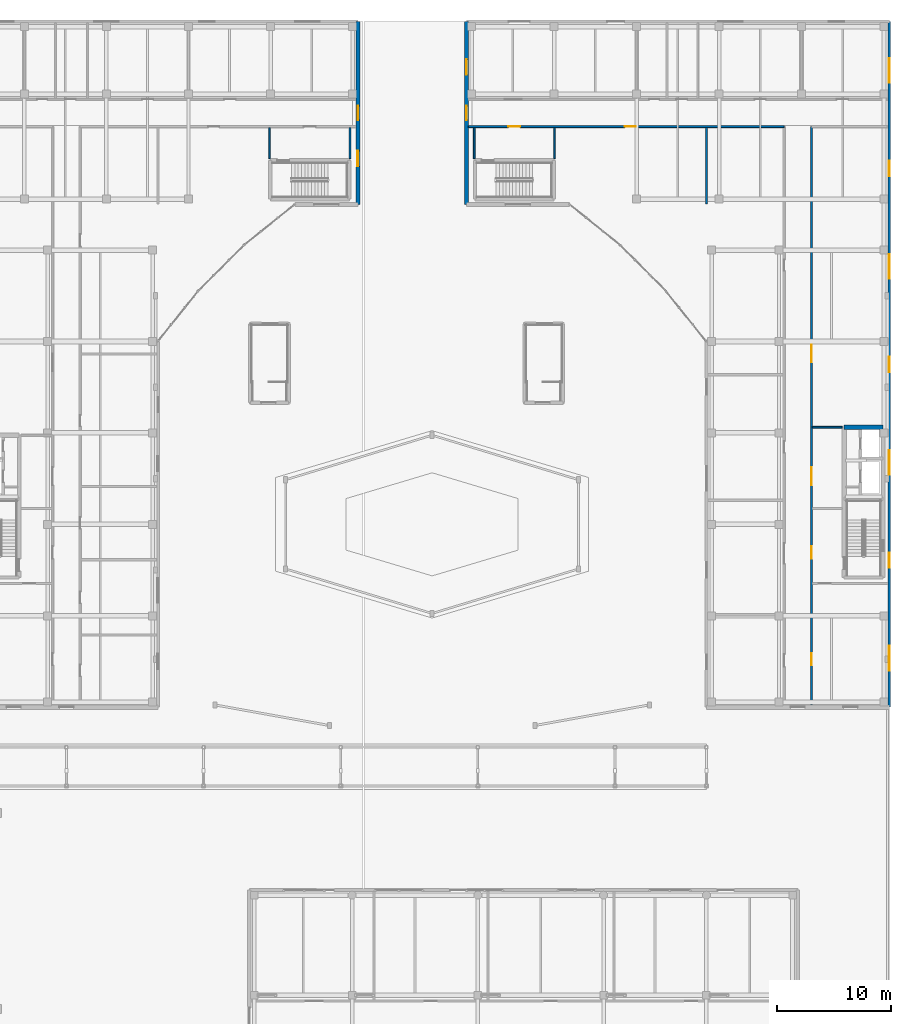
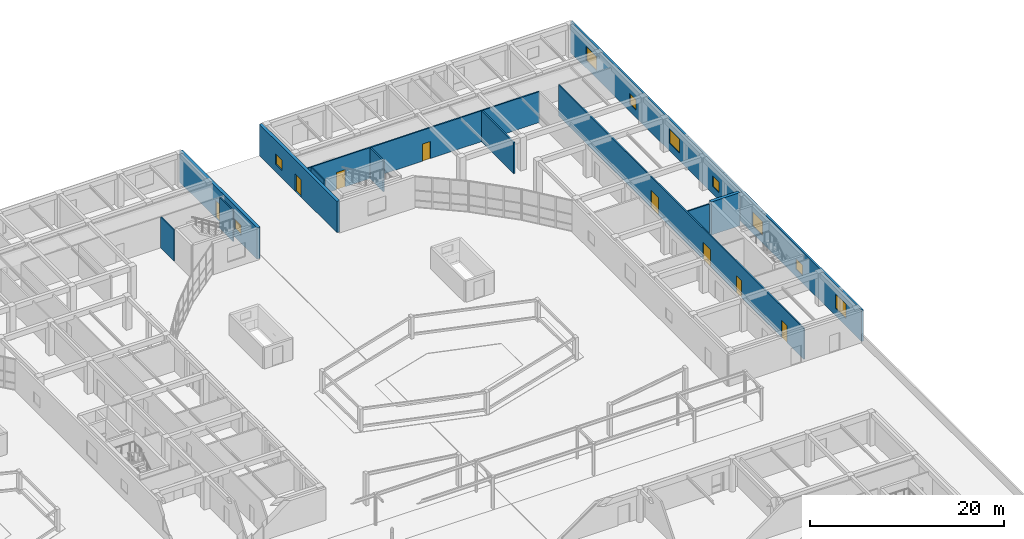
# One storey, part 90 of 114: 12 walls, 9 windows, 8 doors, 17 openings.
"""IFC4 building model written with IfcOpenShell, lengths in metres."""

from ifc_helpers import new_model, si_unit, direction, frame, frame_2d, origin, place, context, subcontext, project, spatial, rectangle, extrude, material, layer, layer_set, type_object, element, fill, save


model = new_model("IFC4")

# Units and contexts
model_context = context("Model", 3, precision=1e-05, world=origin(), true_north=direction((0.0, 1.0)))
body_context = subcontext(model_context, "Body", "Model", "MODEL_VIEW")
ifc_project = project(units=[si_unit("LENGTHUNIT", "METRE"), si_unit("AREAUNIT", "SQUARE_METRE"), si_unit("VOLUMEUNIT", "CUBIC_METRE"), si_unit("PLANEANGLEUNIT", "RADIAN"), si_unit("MASSUNIT", "GRAM", prefix="KILO")], contexts=[model_context])

# Site, building, storey
site_placement = place(None, origin())
site = spatial("IfcSite", under=ifc_project, at=site_placement, CompositionType="ELEMENT")
building_placement = place(site_placement, origin())
building = spatial("IfcBuilding", under=site, at=building_placement, Name="Keldmere Railside Commons", CompositionType="ELEMENT")
storey_placement = place(building_placement, origin())
storey = spatial("IfcBuildingStorey", under=building, at=storey_placement, Name="L00", CompositionType="ELEMENT", Elevation=0.0)

# Walls
ifc_material_1 = material(Name="Acoustic Gypsum Board Partition", Category="gypsum")
ifc_layer_1 = layer(ifc_material_1, 0.179931640625, Name="Acoustic Demising Partition 180")
ifc_layer_set_1 = layer_set([ifc_layer_1], Name="Acoustic Gypsum Board Partition")
wall_type_1 = type_object("IfcWallType", Name="Acoustic Demising Partition 180", PredefinedType="PARTITIONING", material=ifc_layer_set_1)
wall_1_placement = place(storey_placement, frame((168.0, 100.050048828125, 0.0), z_axis=(0.0, 0.0, 1.0), x_axis=(0.0, 1.0, 0.0)))
element("IfcWall", 1, at=wall_1_placement, inside=storey, type_object=wall_type_1, Name="IW-1 IW-L00-1409", PredefinedType="PARTITIONING", context=body_context, shape_type="SweptSolid", body=[
    extrude(rectangle(XDim=6.669921875, YDim=0.179931640625, at=frame_2d((3.3349609375, 0.0))), origin(), (0.0, 0.0, 1.0), 3.89501953125),
])
ifc_material_2 = material(Name="Concrete H-40 (C40/50)", Category="concrete")
ifc_layer_2 = layer(ifc_material_2, 0.3798828125, Name="Core Shear Wall 380")
ifc_layer_set_2 = layer_set([ifc_layer_2], Name="Concrete H-40 (C40/50)")
wall_type_2 = type_object("IfcWallType", Name="Core Shear Wall 380", PredefinedType="SHEAR", material=ifc_layer_set_2)
wall_2_placement = place(storey_placement, frame((180.06005859375, 80.5, 0.0), z_axis=(0.0, 0.0, 1.0), x_axis=(1.0, 0.0, 0.0)))
element("IfcWall", 2, at=wall_2_placement, inside=storey, type_object=wall_type_2, Name="CW-CORE COREAN-L00-0709", PredefinedType="SHEAR", context=body_context, shape_type="SweptSolid", body=[
    extrude(rectangle(XDim=3.409912109375, YDim=0.3798828125, at=frame_2d((1.705078125, 0.0))), origin(), (0.0, 0.0, 1.0), 4.159912109375),
])

# Wall, openings, doors
ifc_layer_3 = layer(ifc_material_1, 0.159912109375, Name="Corridor Fire Partition 160")
ifc_layer_set_3 = layer_set([ifc_layer_3], Name="Acoustic Gypsum Board Partition")
wall_type_3 = type_object("IfcWallType", Name="Corridor Fire Partition 160", PredefinedType="PARTITIONING", material=ifc_layer_set_3)
wall_3_placement = place(storey_placement, frame((177.199951171875, 56.179931640625, 0.0), z_axis=(0.0, 0.0, 1.0), x_axis=(0.0, 1.0, 0.0)))
wall_3 = element("IfcWall", 3, at=wall_3_placement, inside=storey, type_object=wall_type_3, Name="IW-2 IW-L00-1405", PredefinedType="PARTITIONING", context=body_context, shape_type="SweptSolid", body=[
    extrude(rectangle(XDim=50.6201171875, YDim=0.159912109375, at=frame_2d((25.31005859375, 0.0))), origin(), (0.0, 0.0, 1.0), 3.89501953125),
])
opening_1_placement = place(wall_3_placement, frame((12.820068359375, 0.0, 0.0)))
opening_1 = element("IfcOpeningElement", 4, at=opening_1_placement, cuts=wall_3, Name="Opening FD-2", PredefinedType="OPENING", context=body_context, shape_type="SweptSolid", body=[
    extrude(rectangle(XDim=1.10009765625, YDim=2.14990234375, at=frame_2d((0.550048828125, 1.074951171875))), frame((0.0, 0.08984375, 0.0), z_axis=(0.0, -1.0, 0.0), x_axis=(1.0, 0.0, 0.0)), (0.0, 0.0, 1.0), 0.179931640625),
])
opening_2_placement = place(wall_3_placement, frame((19.219970703125, 0.0, 0.0)))
opening_2 = element("IfcOpeningElement", 5, at=opening_2_placement, cuts=wall_3, Name="Opening FD-4", PredefinedType="OPENING", context=body_context, shape_type="SweptSolid", body=[
    extrude(rectangle(XDim=1.60009765625, YDim=2.14990234375, at=frame_2d((0.800048828125, 1.074951171875))), frame((0.0, 0.08984375, 0.0), z_axis=(0.0, -1.0, 0.0), x_axis=(1.0, 0.0, 0.0)), (0.0, 0.0, 1.0), 0.179931640625),
])
opening_3_placement = place(wall_3_placement, frame((3.5, 0.0, 0.0)))
opening_3 = element("IfcOpeningElement", 6, at=opening_3_placement, cuts=wall_3, Name="Opening FD-1", PredefinedType="OPENING", context=body_context, shape_type="SweptSolid", body=[
    extrude(rectangle(XDim=1.050048828125, YDim=2.14990234375, at=frame_2d((0.52490234375, 1.074951171875))), frame((0.0, 0.08984375, 0.0), z_axis=(0.0, -1.0, 0.0), x_axis=(1.0, 0.0, 0.0)), (0.0, 0.0, 1.0), 0.179931640625),
])
opening_4_placement = place(wall_3_placement, frame((30.0, 0.0, 0.0)))
opening_4 = element("IfcOpeningElement", 7, at=opening_4_placement, cuts=wall_3, Name="Opening ID-16", PredefinedType="OPENING", context=body_context, shape_type="SweptSolid", body=[
    extrude(rectangle(XDim=1.550048828125, YDim=2.199951171875, at=frame_2d((0.77490234375, 1.10009765625))), frame((0.0, 0.08984375, 0.0), z_axis=(0.0, -1.0, 0.0), x_axis=(1.0, 0.0, 0.0)), (0.0, 0.0, 1.0), 0.179931640625),
])
ifc_material_3 = material(Name="Steel F-24 (S235)", Category="steel")
door_type_1 = type_object("IfcDoorType", Name="Bicycle Hub Double Swing Door 1550x2200", OperationType="DOUBLE_DOOR_SINGLE_SWING", PredefinedType="DOOR", material=ifc_material_3)
door_1_placement = place(opening_4_placement, origin())
door_1 = element("IfcDoor", 8, at=door_1_placement, inside=storey, type_object=door_type_1, Name="ID-16 IDR-L00-1266", OperationType="DOUBLE_DOOR_SINGLE_SWING", OverallHeight=2.199951171875, OverallWidth=1.550048828125, PredefinedType="DOOR", context=body_context, shape_type="SweptSolid", body=[
    extrude(rectangle(XDim=1.550048828125, YDim=2.199951171875, at=frame_2d((0.77490234375, 1.10009765625))), frame((0.0, 0.02490234375, 0.0), z_axis=(0.0, -1.0, 0.0), x_axis=(1.0, 0.0, 0.0)), (0.0, 0.0, 1.0), 0.050048828125),
])
fill(opening_4, door_1)
door_type_2 = type_object("IfcDoorType", Name="Corridor Cross-Compartment Double Fire Door 1600x2150", OperationType="DOUBLE_DOOR_SINGLE_SWING", PredefinedType="DOOR", material=ifc_material_3)
door_2_placement = place(opening_2_placement, origin())
door_2 = element("IfcDoor", 9, at=door_2_placement, inside=storey, type_object=door_type_2, Name="FD-4 IDR-L00-1259", OperationType="DOUBLE_DOOR_SINGLE_SWING", OverallHeight=2.14990234375, OverallWidth=1.60009765625, PredefinedType="DOOR", context=body_context, shape_type="SweptSolid", body=[
    extrude(rectangle(XDim=1.60009765625, YDim=2.14990234375, at=frame_2d((0.800048828125, 1.074951171875))), frame((0.0, 0.02490234375, 0.0), z_axis=(0.0, -1.0, 0.0), x_axis=(1.0, 0.0, 0.0)), (0.0, 0.0, 1.0), 0.050048828125),
])
fill(opening_2, door_2)
door_type_3 = type_object("IfcDoorType", Name="Firefighting Lobby Fire Door 1100x2150", OperationType="NOTDEFINED", PredefinedType="DOOR", material=ifc_material_3)
door_3_placement = place(opening_1_placement, origin())
door_3 = element("IfcDoor", 10, at=door_3_placement, inside=storey, type_object=door_type_3, Name="FD-2 IDR-L00-1258", OperationType="SINGLE_SWING_RIGHT", OverallHeight=2.14990234375, OverallWidth=1.10009765625, PredefinedType="DOOR", context=body_context, shape_type="SweptSolid", body=[
    extrude(rectangle(XDim=1.10009765625, YDim=2.14990234375, at=frame_2d((0.550048828125, 1.074951171875))), frame((0.0, 0.02490234375, 0.0), z_axis=(0.0, -1.0, 0.0), x_axis=(1.0, 0.0, 0.0)), (0.0, 0.0, 1.0), 0.050048828125),
])
fill(opening_1, door_3)
door_type_4 = type_object("IfcDoorType", Name="Stair Core Fire Door 1050x2150", OperationType="NOTDEFINED", PredefinedType="DOOR", material=ifc_material_3)
door_4_placement = place(opening_3_placement, origin())
door_4 = element("IfcDoor", 11, at=door_4_placement, inside=storey, type_object=door_type_4, Name="FD-1 IDR-L00-1261", OperationType="SINGLE_SWING_LEFT", OverallHeight=2.14990234375, OverallWidth=1.050048828125, PredefinedType="DOOR", context=body_context, shape_type="SweptSolid", body=[
    extrude(rectangle(XDim=1.050048828125, YDim=2.14990234375, at=frame_2d((0.52490234375, 1.074951171875))), frame((0.0, 0.02490234375, 0.0), z_axis=(0.0, -1.0, 0.0), x_axis=(1.0, 0.0, 0.0)), (0.0, 0.0, 1.0), 0.050048828125),
])
fill(opening_3, door_4)

wall_4_placement = place(storey_placement, frame((147.179931640625, 106.800048828125, 0.0), z_axis=(0.0, 0.0, 1.0), x_axis=(1.0, 0.0, 0.0)))
wall_4 = element("IfcWall", 12, at=wall_4_placement, inside=storey, type_object=wall_type_3, Name="IW-2 IW-L00-1406", PredefinedType="PARTITIONING", context=body_context, shape_type="SweptSolid", body=[
    extrude(rectangle(XDim=27.6201171875, YDim=0.159912109375, at=frame_2d((13.81005859375, 0.0))), origin(), (0.0, 0.0, 1.0), 3.89501953125),
])
opening_5_placement = place(wall_4_placement, frame((3.4951171875, 0.0, 0.0)))
opening_5 = element("IfcOpeningElement", 13, at=opening_5_placement, cuts=wall_4, Name="Opening FD-1", PredefinedType="OPENING", context=body_context, shape_type="SweptSolid", body=[
    extrude(rectangle(XDim=1.050048828125, YDim=2.14990234375, at=frame_2d((0.52490234375, 1.074951171875))), frame((0.0, 0.08984375, 0.0), z_axis=(0.0, -1.0, 0.0), x_axis=(1.0, 0.0, 0.0)), (0.0, 0.0, 1.0), 0.179931640625),
])
opening_6_placement = place(wall_4_placement, frame((13.695068359375, 0.0, 0.0)))
opening_6 = element("IfcOpeningElement", 14, at=opening_6_placement, cuts=wall_4, Name="Opening ID-08", PredefinedType="OPENING", context=body_context, shape_type="SweptSolid", body=[
    extrude(rectangle(XDim=0.9599609375, YDim=2.14990234375, at=frame_2d((0.47998046875, 1.074951171875))), frame((0.0, 0.08984375, 0.0), z_axis=(0.0, -1.0, 0.0), x_axis=(1.0, 0.0, 0.0)), (0.0, 0.0, 1.0), 0.179931640625),
])
door_5_placement = place(opening_5_placement, origin())
door_5 = element("IfcDoor", 15, at=door_5_placement, inside=storey, type_object=door_type_4, Name="FD-1 IDR-L00-1257", OperationType="SINGLE_SWING_LEFT", OverallHeight=2.14990234375, OverallWidth=1.050048828125, PredefinedType="DOOR", context=body_context, shape_type="SweptSolid", body=[
    extrude(rectangle(XDim=1.050048828125, YDim=2.14990234375, at=frame_2d((0.52490234375, 1.074951171875))), frame((0.0, 0.02490234375, 0.0), z_axis=(0.0, -1.0, 0.0), x_axis=(1.0, 0.0, 0.0)), (0.0, 0.0, 1.0), 0.050048828125),
])
fill(opening_5, door_5)
ifc_material_4 = material(Name="Engineered Oak Timber", Category="wood")
door_type_5 = type_object("IfcDoorType", Name="Study & Meeting Room Door 960x2150", OperationType="NOTDEFINED", PredefinedType="DOOR", material=ifc_material_4)
door_6_placement = place(opening_6_placement, origin())
door_6 = element("IfcDoor", 16, at=door_6_placement, inside=storey, type_object=door_type_5, Name="ID-08 IDR-L00-1272", OperationType="SINGLE_SWING_RIGHT", OverallHeight=2.14990234375, OverallWidth=0.9599609375, PredefinedType="DOOR", context=body_context, shape_type="SweptSolid", body=[
    extrude(rectangle(XDim=0.9599609375, YDim=2.14990234375, at=frame_2d((0.47998046875, 1.074951171875))), frame((0.0, 0.02490234375, 0.0), z_axis=(0.0, -1.0, 0.0), x_axis=(1.0, 0.0, 0.0)), (0.0, 0.0, 1.0), 0.050048828125),
])
fill(opening_6, door_6)

# Wall, openings, window, door
ifc_material_5 = material(Name="Concrete H-35 (C35/45)", Category="concrete")
ifc_layer_4 = layer(ifc_material_5, 0.360107421875, Name="Exterior Shear Wall 360")
ifc_layer_set_4 = layer_set([ifc_layer_4], Name="Concrete H-35 (C35/45)")
wall_type_4 = type_object("IfcWallType", Name="Exterior Shear Wall 360", PredefinedType="SHEAR", material=ifc_layer_set_4)
wall_5_placement = place(storey_placement, frame((137.5, 116.0, 0.0), z_axis=(0.0, 0.0, 1.0), x_axis=(0.0, -1.0, 0.0)))
wall_5 = element("IfcWall", 17, at=wall_5_placement, inside=storey, type_object=wall_type_4, Name="ESW-1 EXTB-L00-0579", PredefinedType="SHEAR", context=body_context, shape_type="SweptSolid", body=[
    extrude(rectangle(XDim=16.0, YDim=0.360107421875, at=frame_2d((8.0, 0.0))), origin(), (0.0, 0.0, 1.0), 3.93994140625),
])
opening_7_placement = place(wall_5_placement, frame((7.375, 0.0, 0.0)))
opening_7 = element("IfcOpeningElement", 18, at=opening_7_placement, cuts=wall_5, Name="Opening ED-02", PredefinedType="OPENING", context=body_context, shape_type="SweptSolid", body=[
    extrude(rectangle(XDim=1.25, YDim=2.199951171875, at=frame_2d((0.625, 1.10009765625))), frame((0.0, 0.18994140625, 0.0), z_axis=(0.0, -1.0, 0.0), x_axis=(1.0, 0.0, 0.0)), (0.0, 0.0, 1.0), 0.380126953125),
])
opening_8_placement = place(wall_5_placement, frame((11.324951171875, 0.0, 0.949951171875)))
opening_8 = element("IfcOpeningElement", 19, at=opening_8_placement, cuts=wall_5, Name="Opening WN-25", PredefinedType="OPENING", context=body_context, shape_type="SweptSolid", body=[
    extrude(rectangle(XDim=1.35009765625, YDim=1.300048828125, at=frame_2d((0.675048828125, 0.64990234375))), frame((0.0, 0.18994140625, 0.0), z_axis=(0.0, -1.0, 0.0), x_axis=(1.0, 0.0, 0.0)), (0.0, 0.0, 1.0), 0.380126953125),
])
ifc_material_6 = material(Name="Low-E Insulated Double Glazing", Category="glass")
window_type_1 = type_object("IfcWindowType", Name="Podium Laundry & Mailroom Window 1350x1300", PartitioningType="SINGLE_PANEL", PredefinedType="WINDOW", material=ifc_material_6)
window_1_placement = place(opening_8_placement, origin())
window_1 = element("IfcWindow", 20, at=window_1_placement, inside=storey, type_object=window_type_1, Name="WN-25 WIN-L00-0353", OverallHeight=1.300048828125, OverallWidth=1.35009765625, PartitioningType="SINGLE_PANEL", PredefinedType="WINDOW", context=body_context, shape_type="SweptSolid", body=[
    extrude(rectangle(XDim=1.35009765625, YDim=1.300048828125, at=frame_2d((0.675048828125, 0.64990234375))), frame((0.0, 0.030029296875, 0.0), z_axis=(0.0, -1.0, 0.0), x_axis=(1.0, 0.0, 0.0)), (0.0, 0.0, 1.0), 0.06005859375),
])
fill(opening_8, window_1)
door_type_6 = type_object("IfcDoorType", Name="Stair Final Escape Exit Door 1250x2200", OperationType="NOTDEFINED", PredefinedType="DOOR", material=ifc_material_3)
door_7_placement = place(opening_7_placement, origin())
door_7 = element("IfcDoor", 21, at=door_7_placement, inside=storey, type_object=door_type_6, Name="ED-02 DR-L00-0126", OperationType="SINGLE_SWING_LEFT", OverallHeight=2.199951171875, OverallWidth=1.25, PredefinedType="DOOR", context=body_context, shape_type="SweptSolid", body=[
    extrude(rectangle(XDim=1.25, YDim=2.199951171875, at=frame_2d((0.625, 1.10009765625))), frame((0.0, 0.02490234375, 0.0), z_axis=(0.0, -1.0, 0.0), x_axis=(1.0, 0.0, 0.0)), (0.0, 0.0, 1.0), 0.050048828125),
])
fill(opening_7, door_7)

wall_6_placement = place(storey_placement, frame((147.0, 100.0, 0.0), z_axis=(0.0, 0.0, 1.0), x_axis=(0.0, 1.0, 0.0)))
wall_6 = element("IfcWall", 22, at=wall_6_placement, inside=storey, type_object=wall_type_4, Name="ESW-1 EXTA-L00-0879", PredefinedType="SHEAR", context=body_context, shape_type="SweptSolid", body=[
    extrude(rectangle(XDim=16.0, YDim=0.360107421875, at=frame_2d((8.0, 0.0))), origin(), (0.0, 0.0, 1.0), 3.93994140625),
])
opening_9_placement = place(wall_6_placement, frame((7.375, 0.0, 0.0)))
opening_9 = element("IfcOpeningElement", 23, at=opening_9_placement, cuts=wall_6, Name="Opening ED-02", PredefinedType="OPENING", context=body_context, shape_type="SweptSolid", body=[
    extrude(rectangle(XDim=1.25, YDim=2.199951171875, at=frame_2d((0.625, 1.10009765625))), frame((0.0, 0.18994140625, 0.0), z_axis=(0.0, -1.0, 0.0), x_axis=(1.0, 0.0, 0.0)), (0.0, 0.0, 1.0), 0.380126953125),
])
opening_10_placement = place(wall_6_placement, frame((11.324951171875, 0.0, 0.949951171875)))
opening_10 = element("IfcOpeningElement", 24, at=opening_10_placement, cuts=wall_6, Name="Opening WN-25", PredefinedType="OPENING", context=body_context, shape_type="SweptSolid", body=[
    extrude(rectangle(XDim=1.35009765625, YDim=1.300048828125, at=frame_2d((0.675048828125, 0.64990234375))), frame((0.0, 0.18994140625, 0.0), z_axis=(0.0, -1.0, 0.0), x_axis=(1.0, 0.0, 0.0)), (0.0, 0.0, 1.0), 0.380126953125),
])
window_2_placement = place(opening_10_placement, origin())
window_2 = element("IfcWindow", 25, at=window_2_placement, inside=storey, type_object=window_type_1, Name="WN-25 WIN-L00-0579", OverallHeight=1.300048828125, OverallWidth=1.35009765625, PartitioningType="SINGLE_PANEL", PredefinedType="WINDOW", context=body_context, shape_type="SweptSolid", body=[
    extrude(rectangle(XDim=1.35009765625, YDim=1.300048828125, at=frame_2d((0.675048828125, 0.64990234375))), frame((0.0, 0.030029296875, 0.0), z_axis=(0.0, -1.0, 0.0), x_axis=(1.0, 0.0, 0.0)), (0.0, 0.0, 1.0), 0.06005859375),
])
fill(opening_10, window_2)
door_8_placement = place(opening_9_placement, origin())
door_8 = element("IfcDoor", 26, at=door_8_placement, inside=storey, type_object=door_type_6, Name="ED-02 DR-L00-0218", OperationType="SINGLE_SWING_LEFT", OverallHeight=2.199951171875, OverallWidth=1.25, PredefinedType="DOOR", context=body_context, shape_type="SweptSolid", body=[
    extrude(rectangle(XDim=1.25, YDim=2.199951171875, at=frame_2d((0.625, 1.10009765625))), frame((0.0, 0.02490234375, 0.0), z_axis=(0.0, -1.0, 0.0), x_axis=(1.0, 0.0, 0.0)), (0.0, 0.0, 1.0), 0.050048828125),
])
fill(opening_9, door_8)

# Walls
ifc_layer_5 = layer(ifc_material_1, 0.14990234375, Name="Lobby Rated Partition 150")
ifc_layer_set_5 = layer_set([ifc_layer_5], Name="Acoustic Gypsum Board Partition")
wall_type_5 = type_object("IfcWallType", Name="Lobby Rated Partition 150", PredefinedType="PARTITIONING", material=ifc_layer_set_5)
for number, where, z_axis, x_axis, name in (
    (27, (129.780029296875, 103.989990234375, 0.0), (0.0, 0.0, 1.0), (0.0, 1.0, 0.0), "IW-3 IW-L00-0907"),
    (28, (136.820068359375, 103.989990234375, 0.0), (0.0, 0.0, 1.0), (0.0, 1.0, 0.0), "IW-3 IW-L00-0908"),
):
    element("IfcWall", number, at=place(storey_placement, frame(where, z_axis=z_axis, x_axis=x_axis)), inside=storey, type_object=wall_type_5, Name=name, PredefinedType="PARTITIONING", context=body_context, shape_type="SweptSolid", body=[
        extrude(rectangle(XDim=2.72998046875, YDim=0.14990234375, at=frame_2d((1.364990234375, 0.0))), origin(), (0.0, 0.0, 1.0), 3.89501953125),
    ])
wall_7_placement = place(storey_placement, frame((177.280029296875, 80.5, 0.0), z_axis=(0.0, 0.0, 1.0), x_axis=(1.0, 0.0, 0.0)))
element("IfcWall", 29, at=wall_7_placement, inside=storey, type_object=wall_type_5, Name="IW-3 IW-L00-1403", PredefinedType="PARTITIONING", context=body_context, shape_type="SweptSolid", body=[
    extrude(rectangle(XDim=2.590087890625, YDim=0.14990234375, at=frame_2d((1.294921875, 0.0))), origin(), (0.0, 0.0, 1.0), 3.89501953125),
])
for number, where, z_axis, x_axis, name in (
    (30, (147.679931640625, 103.989990234375, 0.0), (0.0, 0.0, 1.0), (0.0, 1.0, 0.0), "IW-3 IW-L00-1410"),
    (31, (154.719970703125, 103.989990234375, 0.0), (0.0, 0.0, 1.0), (0.0, 1.0, 0.0), "IW-3 IW-L00-1411"),
):
    element("IfcWall", number, at=place(storey_placement, frame(where, z_axis=z_axis, x_axis=x_axis)), inside=storey, type_object=wall_type_5, Name=name, PredefinedType="PARTITIONING", context=body_context, shape_type="SweptSolid", body=[
        extrude(rectangle(XDim=2.72998046875, YDim=0.14990234375, at=frame_2d((1.364990234375, 0.0))), origin(), (0.0, 0.0, 1.0), 3.89501953125),
    ])

# Wall, openings, windows
ifc_material_7 = material(Name="Architectural Precast Concrete H-35 (C35/45)", Category="concrete")
ifc_layer_6 = layer(ifc_material_7, 0.239990234375, Name="Sand-Ochre Precast Cavity Wall 240")
ifc_layer_set_6 = layer_set([ifc_layer_6], Name="Architectural Precast Concrete H-35 (C35/45)")
wall_type_6 = type_object("IfcWallType", Name="Sand-Ochre Precast Cavity Wall 240", PredefinedType="SOLIDWALL", material=ifc_layer_set_6)
wall_8_placement = place(storey_placement, frame((184.0, 116.0, 0.0), z_axis=(0.0, 0.0, 1.0), x_axis=(0.0, -1.0, 0.0)))
wall_8 = element("IfcWall", 32, at=wall_8_placement, inside=storey, type_object=wall_type_6, Name="EW-2 EXTA-L00-0877", PredefinedType="SOLIDWALL", context=body_context, shape_type="SweptSolid", body=[
    extrude(rectangle(XDim=60.0, YDim=0.239990234375, at=frame_2d((30.0, 0.0))), origin(), (0.0, 0.0, 1.0), 3.93994140625),
])
opening_11_placement = place(wall_8_placement, frame((3.210693359375, 0.0, 0.949951171875)))
opening_11 = element("IfcOpeningElement", 33, at=opening_11_placement, cuts=wall_8, Name="Opening WN-41", PredefinedType="OPENING", context=body_context, shape_type="SweptSolid", body=[
    extrude(rectangle(XDim=2.14990234375, YDim=1.800048828125, at=frame_2d((1.074951171875, 0.89990234375))), frame((0.0, 0.1298828125, 0.0), z_axis=(0.0, -1.0, 0.0), x_axis=(1.0, 0.0, 0.0)), (0.0, 0.0, 1.0), 0.260009765625),
])
opening_12_placement = place(wall_8_placement, frame((12.18212890625, 0.0, 0.949951171875)))
opening_12 = element("IfcOpeningElement", 34, at=opening_12_placement, cuts=wall_8, Name="Opening WN-25", PredefinedType="OPENING", context=body_context, shape_type="SweptSolid", body=[
    extrude(rectangle(XDim=1.35009765625, YDim=1.300048828125, at=frame_2d((0.675048828125, 0.64990234375))), frame((0.0, 0.1298828125, 0.0), z_axis=(0.0, -1.0, 0.0), x_axis=(1.0, 0.0, 0.0)), (0.0, 0.0, 1.0), 0.260009765625),
])
opening_13_placement = place(wall_8_placement, frame((20.353515625, 0.0, 0.949951171875)))
opening_13 = element("IfcOpeningElement", 35, at=opening_13_placement, cuts=wall_8, Name="Opening WN-41", PredefinedType="OPENING", context=body_context, shape_type="SweptSolid", body=[
    extrude(rectangle(XDim=2.14990234375, YDim=1.800048828125, at=frame_2d((1.074951171875, 0.89990234375))), frame((0.0, 0.1298828125, 0.0), z_axis=(0.0, -1.0, 0.0), x_axis=(1.0, 0.0, 0.0)), (0.0, 0.0, 1.0), 0.260009765625),
])
opening_14_placement = place(wall_8_placement, frame((29.324951171875, 0.0, 0.949951171875)))
opening_14 = element("IfcOpeningElement", 36, at=opening_14_placement, cuts=wall_8, Name="Opening WN-25", PredefinedType="OPENING", context=body_context, shape_type="SweptSolid", body=[
    extrude(rectangle(XDim=1.35009765625, YDim=1.300048828125, at=frame_2d((0.675048828125, 0.64990234375))), frame((0.0, 0.1298828125, 0.0), z_axis=(0.0, -1.0, 0.0), x_axis=(1.0, 0.0, 0.0)), (0.0, 0.0, 1.0), 0.260009765625),
])
opening_15_placement = place(wall_8_placement, frame((37.496337890625, 0.0, 0.949951171875)))
opening_15 = element("IfcOpeningElement", 37, at=opening_15_placement, cuts=wall_8, Name="Opening WN-41", PredefinedType="OPENING", context=body_context, shape_type="SweptSolid", body=[
    extrude(rectangle(XDim=2.14990234375, YDim=1.800048828125, at=frame_2d((1.074951171875, 0.89990234375))), frame((0.0, 0.1298828125, 0.0), z_axis=(0.0, -1.0, 0.0), x_axis=(1.0, 0.0, 0.0)), (0.0, 0.0, 1.0), 0.260009765625),
])
opening_16_placement = place(wall_8_placement, frame((46.468017578125, 0.0, 0.949951171875)))
opening_16 = element("IfcOpeningElement", 38, at=opening_16_placement, cuts=wall_8, Name="Opening WN-25", PredefinedType="OPENING", context=body_context, shape_type="SweptSolid", body=[
    extrude(rectangle(XDim=1.35009765625, YDim=1.300048828125, at=frame_2d((0.675048828125, 0.64990234375))), frame((0.0, 0.1298828125, 0.0), z_axis=(0.0, -1.0, 0.0), x_axis=(1.0, 0.0, 0.0)), (0.0, 0.0, 1.0), 0.260009765625),
])
opening_17_placement = place(wall_8_placement, frame((54.639404296875, 0.0, 0.949951171875)))
opening_17 = element("IfcOpeningElement", 39, at=opening_17_placement, cuts=wall_8, Name="Opening WN-41", PredefinedType="OPENING", context=body_context, shape_type="SweptSolid", body=[
    extrude(rectangle(XDim=2.14990234375, YDim=1.800048828125, at=frame_2d((1.074951171875, 0.89990234375))), frame((0.0, 0.1298828125, 0.0), z_axis=(0.0, -1.0, 0.0), x_axis=(1.0, 0.0, 0.0)), (0.0, 0.0, 1.0), 0.260009765625),
])
window_type_2 = type_object("IfcWindowType", Name="North Plinth Gallery Window 2150x1800", PartitioningType="SINGLE_PANEL", PredefinedType="WINDOW", material=ifc_material_6)
window_3_placement = place(opening_11_placement, origin())
window_3 = element("IfcWindow", 40, at=window_3_placement, inside=storey, type_object=window_type_2, Name="WN-41 WIN-L00-0570", OverallHeight=1.800048828125, OverallWidth=2.14990234375, PartitioningType="SINGLE_PANEL", PredefinedType="WINDOW", context=body_context, shape_type="SweptSolid", body=[
    extrude(rectangle(XDim=2.14990234375, YDim=1.800048828125, at=frame_2d((1.074951171875, 0.89990234375))), frame((0.0, 0.030029296875, 0.0), z_axis=(0.0, -1.0, 0.0), x_axis=(1.0, 0.0, 0.0)), (0.0, 0.0, 1.0), 0.06005859375),
])
fill(opening_11, window_3)
window_4_placement = place(opening_13_placement, origin())
window_4 = element("IfcWindow", 41, at=window_4_placement, inside=storey, type_object=window_type_2, Name="WN-41 WIN-L00-0572", OverallHeight=1.800048828125, OverallWidth=2.14990234375, PartitioningType="SINGLE_PANEL", PredefinedType="WINDOW", context=body_context, shape_type="SweptSolid", body=[
    extrude(rectangle(XDim=2.14990234375, YDim=1.800048828125, at=frame_2d((1.074951171875, 0.89990234375))), frame((0.0, 0.030029296875, 0.0), z_axis=(0.0, -1.0, 0.0), x_axis=(1.0, 0.0, 0.0)), (0.0, 0.0, 1.0), 0.06005859375),
])
fill(opening_13, window_4)
window_5_placement = place(opening_15_placement, origin())
window_5 = element("IfcWindow", 42, at=window_5_placement, inside=storey, type_object=window_type_2, Name="WN-41 WIN-L00-0574", OverallHeight=1.800048828125, OverallWidth=2.14990234375, PartitioningType="SINGLE_PANEL", PredefinedType="WINDOW", context=body_context, shape_type="SweptSolid", body=[
    extrude(rectangle(XDim=2.14990234375, YDim=1.800048828125, at=frame_2d((1.074951171875, 0.89990234375))), frame((0.0, 0.030029296875, 0.0), z_axis=(0.0, -1.0, 0.0), x_axis=(1.0, 0.0, 0.0)), (0.0, 0.0, 1.0), 0.06005859375),
])
fill(opening_15, window_5)
window_6_placement = place(opening_17_placement, origin())
window_6 = element("IfcWindow", 43, at=window_6_placement, inside=storey, type_object=window_type_2, Name="WN-41 WIN-L00-0576", OverallHeight=1.800048828125, OverallWidth=2.14990234375, PartitioningType="SINGLE_PANEL", PredefinedType="WINDOW", context=body_context, shape_type="SweptSolid", body=[
    extrude(rectangle(XDim=2.14990234375, YDim=1.800048828125, at=frame_2d((1.074951171875, 0.89990234375))), frame((0.0, 0.030029296875, 0.0), z_axis=(0.0, -1.0, 0.0), x_axis=(1.0, 0.0, 0.0)), (0.0, 0.0, 1.0), 0.06005859375),
])
fill(opening_17, window_6)
window_7_placement = place(opening_12_placement, origin())
window_7 = element("IfcWindow", 44, at=window_7_placement, inside=storey, type_object=window_type_1, Name="WN-25 WIN-L00-0571", OverallHeight=1.300048828125, OverallWidth=1.35009765625, PartitioningType="SINGLE_PANEL", PredefinedType="WINDOW", context=body_context, shape_type="SweptSolid", body=[
    extrude(rectangle(XDim=1.35009765625, YDim=1.300048828125, at=frame_2d((0.675048828125, 0.64990234375))), frame((0.0, 0.030029296875, 0.0), z_axis=(0.0, -1.0, 0.0), x_axis=(1.0, 0.0, 0.0)), (0.0, 0.0, 1.0), 0.06005859375),
])
fill(opening_12, window_7)
window_8_placement = place(opening_14_placement, origin())
window_8 = element("IfcWindow", 45, at=window_8_placement, inside=storey, type_object=window_type_1, Name="WN-25 WIN-L00-0573", OverallHeight=1.300048828125, OverallWidth=1.35009765625, PartitioningType="SINGLE_PANEL", PredefinedType="WINDOW", context=body_context, shape_type="SweptSolid", body=[
    extrude(rectangle(XDim=1.35009765625, YDim=1.300048828125, at=frame_2d((0.675048828125, 0.64990234375))), frame((0.0, 0.030029296875, 0.0), z_axis=(0.0, -1.0, 0.0), x_axis=(1.0, 0.0, 0.0)), (0.0, 0.0, 1.0), 0.06005859375),
])
fill(opening_14, window_8)
window_9_placement = place(opening_16_placement, origin())
window_9 = element("IfcWindow", 46, at=window_9_placement, inside=storey, type_object=window_type_1, Name="WN-25 WIN-L00-0575", OverallHeight=1.300048828125, OverallWidth=1.35009765625, PartitioningType="SINGLE_PANEL", PredefinedType="WINDOW", context=body_context, shape_type="SweptSolid", body=[
    extrude(rectangle(XDim=1.35009765625, YDim=1.300048828125, at=frame_2d((0.675048828125, 0.64990234375))), frame((0.0, 0.030029296875, 0.0), z_axis=(0.0, -1.0, 0.0), x_axis=(1.0, 0.0, 0.0)), (0.0, 0.0, 1.0), 0.06005859375),
])
fill(opening_16, window_9)

save(model, "model.ifc")
